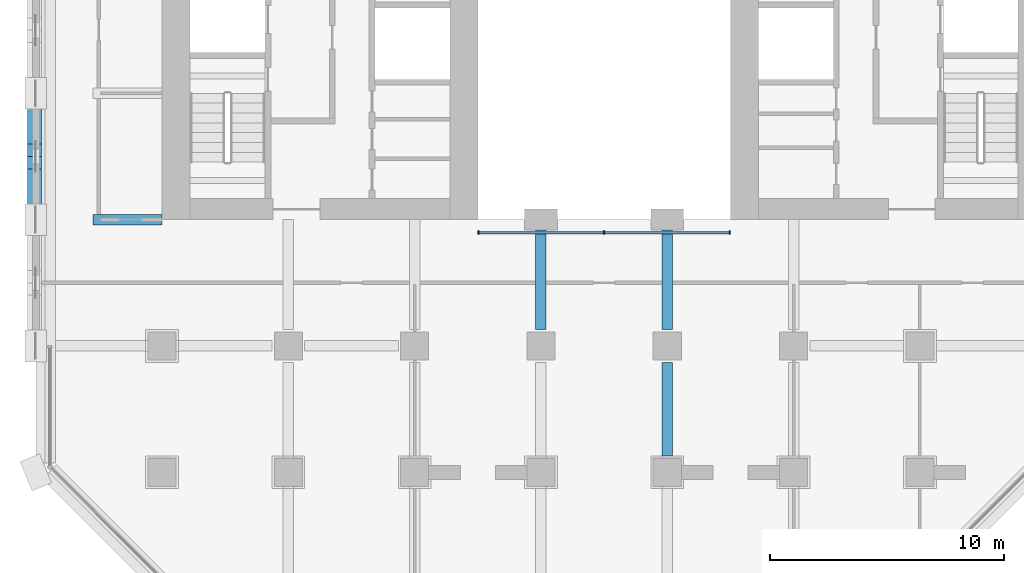
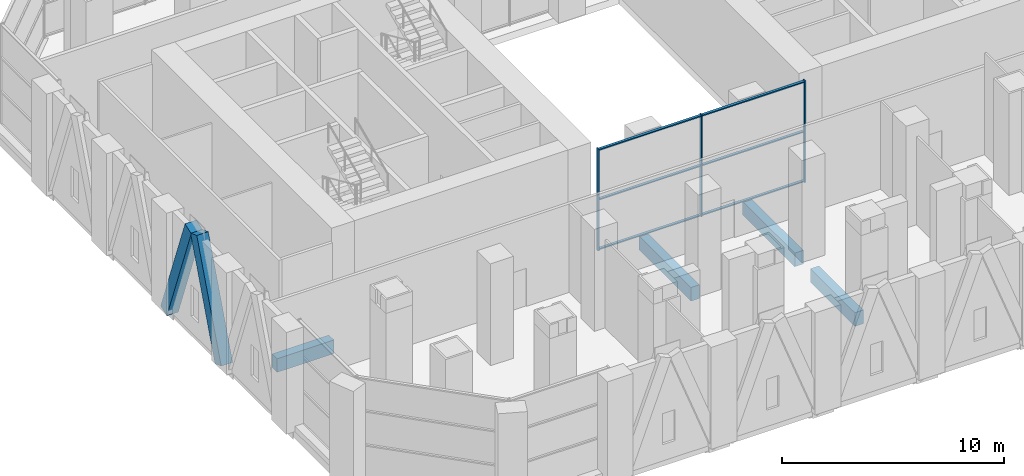
# One storey, part 4 of 34: 11 members, 4 beams, 1 element without a shape of its own.
"""IFC4 building model written with IfcOpenShell, lengths in metres."""

from ifc_helpers import new_model, si_unit, direction, frame, origin, origin_2d, place, context, subcontext, project, spatial, rectangle, extrude, material, material_profile, profile_set, type_object, element, aggregate, save


model = new_model("IFC4")

# Units and contexts
model_context = context("Model", 3, precision=1e-05, world=origin(), true_north=direction((0.0, 1.0)))
body_context = subcontext(model_context, "Body", "Model", "MODEL_VIEW")
ifc_project = project(units=[si_unit("LENGTHUNIT", "METRE"), si_unit("AREAUNIT", "SQUARE_METRE"), si_unit("VOLUMEUNIT", "CUBIC_METRE"), si_unit("PLANEANGLEUNIT", "RADIAN"), si_unit("MASSUNIT", "GRAM", prefix="KILO")], contexts=[model_context])

# Site, building, storey
site_placement = place(None, origin())
site = spatial("IfcSite", under=ifc_project, at=site_placement, CompositionType="ELEMENT")
building_placement = place(site_placement, origin())
building = spatial("IfcBuilding", under=site, at=building_placement, Name="Tabaq Tower and Sports Hall", CompositionType="ELEMENT")
storey_placement = place(building_placement, frame((0.0, 0.0, 8.39990234375)))
storey = spatial("IfcBuildingStorey", under=building, at=storey_placement, Name="L01", CompositionType="ELEMENT", Elevation=8.39990234375)

# Curtain wall, members
ifc_material_1 = material(Name="Aluminium alloy 6063-T6 framed glazing", Category="aluminium")
curtain_wall_type = type_object("IfcCurtainWallType", Name="CW1 curtain wall", PredefinedType="USERDEFINED", material=ifc_material_1)
curtain_wall_placement = place(storey_placement, origin())
curtain_wall = element("IfcCurtainWall", 1, at=curtain_wall_placement, inside=storey, type_object=curtain_wall_type, Name="Atrium glazing L01 S", ObjectType="ATRIUM ENCLOSURE", PredefinedType="USERDEFINED")
ifc_material_2 = material(Name="Aluminium alloy 6063-T6", Category="aluminium")
ifc_material_profile_1 = material_profile(ifc_material_2, rectangle(XDim=0.159912109375, YDim=0.06005859375, at=origin_2d()), Name="MULLION 160x60")
ifc_profile_set_1 = profile_set([ifc_material_profile_1], Name="Aluminium alloy 6063-T6")
member_type_1 = type_object("IfcMemberType", Name="CW1 mullion 160x60", PredefinedType="MULLION", material=ifc_profile_set_1)
member_1_placement = place(storey_placement, frame((18.929931640625, 15.64990234375, 0.0), z_axis=(0.0, 0.0, 1.0), x_axis=(0.0, 1.0, 0.0)))
member_1 = element("IfcMember", 2, at=member_1_placement, type_object=member_type_1, Name="CW1 mullion 1", PredefinedType="MULLION", context=body_context, shape_type="SweptSolid", body=[
    extrude(rectangle(XDim=0.159912109375, YDim=0.06005859375, at=origin_2d()), origin(), (0.0, 0.0, 1.0), 5.60009765625),
])
member_2_placement = place(storey_placement, frame((24.300048828125, 15.64990234375, 0.0), z_axis=(0.0, 0.0, 1.0), x_axis=(0.0, 1.0, 0.0)))
member_2 = element("IfcMember", 3, at=member_2_placement, type_object=member_type_1, Name="CW1 mullion 2", PredefinedType="MULLION", context=body_context, shape_type="SweptSolid", body=[
    extrude(rectangle(XDim=0.159912109375, YDim=0.06005859375, at=origin_2d()), origin(), (0.0, 0.0, 1.0), 5.60009765625),
])
member_3_placement = place(storey_placement, frame((29.669921875, 15.64990234375, 0.0), z_axis=(0.0, 0.0, 1.0), x_axis=(0.0, 1.0, 0.0)))
member_3 = element("IfcMember", 4, at=member_3_placement, type_object=member_type_1, Name="CW1 mullion 3", PredefinedType="MULLION", context=body_context, shape_type="SweptSolid", body=[
    extrude(rectangle(XDim=0.159912109375, YDim=0.06005859375, at=origin_2d()), origin(), (0.0, 0.0, 1.0), 5.60009765625),
])
ifc_material_3 = material(Name="Aluminium alloy 6063-T6", Category="aluminium")
ifc_material_profile_2 = material_profile(ifc_material_3, rectangle(XDim=0.139892578125, YDim=0.06005859375, at=origin_2d()), Name="TRANSOM 140x60")
ifc_profile_set_2 = profile_set([ifc_material_profile_2], Name="Aluminium alloy 6063-T6")
member_type_2 = type_object("IfcMemberType", Name="CW1 transom 140x60", PredefinedType="USERDEFINED", material=ifc_profile_set_2)
member_4_placement = place(storey_placement, frame((18.9599609375, 15.64990234375, 0.070068359375), z_axis=(1.0, 0.0, 0.0), x_axis=(0.0, 1.0, 0.0)))
member_4 = element("IfcMember", 5, at=member_4_placement, type_object=member_type_2, Name="CW1 transom 1.1", ObjectType="TRANSOM", PredefinedType="USERDEFINED", context=body_context, shape_type="SweptSolid", body=[
    extrude(rectangle(XDim=0.139892578125, YDim=0.06005859375, at=origin_2d()), origin(), (0.0, 0.0, 1.0), 5.31005859375),
])
member_5_placement = place(storey_placement, frame((18.9599609375, 15.64990234375, 2.800048828125), z_axis=(1.0, 0.0, 0.0), x_axis=(0.0, 1.0, 0.0)))
member_5 = element("IfcMember", 6, at=member_5_placement, type_object=member_type_2, Name="CW1 transom 1.2", ObjectType="TRANSOM", PredefinedType="USERDEFINED", context=body_context, shape_type="SweptSolid", body=[
    extrude(rectangle(XDim=0.139892578125, YDim=0.06005859375, at=origin_2d()), origin(), (0.0, 0.0, 1.0), 5.31005859375),
])
member_6_placement = place(storey_placement, frame((18.9599609375, 15.64990234375, 5.530029296875), z_axis=(1.0, 0.0, 0.0), x_axis=(0.0, 1.0, 0.0)))
member_6 = element("IfcMember", 7, at=member_6_placement, type_object=member_type_2, Name="CW1 transom 1.3", ObjectType="TRANSOM", PredefinedType="USERDEFINED", context=body_context, shape_type="SweptSolid", body=[
    extrude(rectangle(XDim=0.139892578125, YDim=0.06005859375, at=origin_2d()), origin(), (0.0, 0.0, 1.0), 5.31005859375),
])
member_7_placement = place(storey_placement, frame((24.330078125, 15.64990234375, 0.070068359375), z_axis=(1.0, 0.0, 0.0), x_axis=(0.0, 1.0, 0.0)))
member_7 = element("IfcMember", 8, at=member_7_placement, type_object=member_type_2, Name="CW1 transom 2.1", ObjectType="TRANSOM", PredefinedType="USERDEFINED", context=body_context, shape_type="SweptSolid", body=[
    extrude(rectangle(XDim=0.139892578125, YDim=0.06005859375, at=origin_2d()), origin(), (0.0, 0.0, 1.0), 5.309814453125),
])
member_8_placement = place(storey_placement, frame((24.330078125, 15.64990234375, 2.800048828125), z_axis=(1.0, 0.0, 0.0), x_axis=(0.0, 1.0, 0.0)))
member_8 = element("IfcMember", 9, at=member_8_placement, type_object=member_type_2, Name="CW1 transom 2.2", ObjectType="TRANSOM", PredefinedType="USERDEFINED", context=body_context, shape_type="SweptSolid", body=[
    extrude(rectangle(XDim=0.139892578125, YDim=0.06005859375, at=origin_2d()), origin(), (0.0, 0.0, 1.0), 5.309814453125),
])
member_9_placement = place(storey_placement, frame((24.330078125, 15.64990234375, 5.530029296875), z_axis=(1.0, 0.0, 0.0), x_axis=(0.0, 1.0, 0.0)))
member_9 = element("IfcMember", 10, at=member_9_placement, type_object=member_type_2, Name="CW1 transom 2.3", ObjectType="TRANSOM", PredefinedType="USERDEFINED", context=body_context, shape_type="SweptSolid", body=[
    extrude(rectangle(XDim=0.139892578125, YDim=0.06005859375, at=origin_2d()), origin(), (0.0, 0.0, 1.0), 5.309814453125),
])
aggregate(curtain_wall, [member_1, member_2, member_3, member_4, member_5, member_6, member_7, member_8, member_9])

# Beams
ifc_material_4 = material(Name="Concrete C40/50", Category="concrete")
ifc_material_profile_3 = material_profile(ifc_material_4, rectangle(XDim=0.449951171875, YDim=0.75, at=origin_2d()), Name="CB 450x750")
ifc_profile_set_3 = profile_set([ifc_material_profile_3], Name="Concrete C40/50")
beam_type = type_object("IfcBeamType", Name="PT CANTILEVER BEAM CB 450x750 C40/50", PredefinedType="BEAM", material=ifc_profile_set_3)
beam_1_placement = place(storey_placement, frame((2.449951171875, 16.199951171875, -0.77490234375), z_axis=(1.0, 0.0, 0.0), x_axis=(0.0, 1.0, 0.0)))
element("IfcBeam", 11, at=beam_1_placement, inside=storey, type_object=beam_type, Name="Cantilever Beam L01 W3 span 1", PredefinedType="BEAM", context=body_context, shape_type="SweptSolid", body=[
    extrude(rectangle(XDim=0.449951171875, YDim=0.75, at=origin_2d()), origin(), (0.0, 0.0, 1.0), 2.949951171875),
])
beam_2_placement = place(storey_placement, frame((21.60009765625, 11.5, -0.77490234375), z_axis=(0.0, 1.0, 0.0), x_axis=(-1.0, 0.0, 0.0)))
element("IfcBeam", 12, at=beam_2_placement, inside=storey, type_object=beam_type, Name="Cantilever Beam L01 S4 span 3", PredefinedType="BEAM", context=body_context, shape_type="SweptSolid", body=[
    extrude(rectangle(XDim=0.449951171875, YDim=0.75, at=origin_2d()), origin(), (0.0, 0.0, 1.0), 4.699951171875),
])
beam_3_placement = place(storey_placement, frame((27.0, 6.10009765625, -0.77490234375), z_axis=(0.0, 1.0, 0.0), x_axis=(-1.0, 0.0, 0.0)))
element("IfcBeam", 13, at=beam_3_placement, inside=storey, type_object=beam_type, Name="Cantilever Beam L01 S5 span 2", PredefinedType="BEAM", context=body_context, shape_type="SweptSolid", body=[
    extrude(rectangle(XDim=0.449951171875, YDim=0.75, at=origin_2d()), origin(), (0.0, 0.0, 1.0), 4.0),
])
beam_4_placement = place(storey_placement, frame((27.0, 11.5, -0.77490234375), z_axis=(0.0, 1.0, 0.0), x_axis=(-1.0, 0.0, 0.0)))
element("IfcBeam", 14, at=beam_4_placement, inside=storey, type_object=beam_type, Name="Cantilever Beam L01 S5 span 3", PredefinedType="BEAM", context=body_context, shape_type="SweptSolid", body=[
    extrude(rectangle(XDim=0.449951171875, YDim=0.75, at=origin_2d()), origin(), (0.0, 0.0, 1.0), 4.699951171875),
])

# Members
ifc_material_5 = material(Name="Concrete C60/75", Category="concrete")
ifc_material_profile_4 = material_profile(ifc_material_5, rectangle(XDim=0.60009765625, YDim=0.60009765625, at=origin_2d()), Name="TRANSFER BAND BRACE 600x600")
ifc_profile_set_4 = profile_set([ifc_material_profile_4], Name="Concrete C60/75")
member_type_3 = type_object("IfcMemberType", Name="RC TRANSFER BAND BRACE 600x600 C60/75", PredefinedType="BRACE", material=ifc_profile_set_4)
member_10_placement = place(storey_placement, frame((-0.050048828125, 16.449951171875, -0.0498046875), z_axis=(0.0, 0.352000877522, 0.935999669991), x_axis=(-1.0, 0.0, 0.0)))
element("IfcMember", 15, at=member_10_placement, inside=storey, type_object=member_type_3, Name="Transfer Band Brace L01 West 11", PredefinedType="BRACE", context=body_context, shape_type="SweptSolid", body=[
    extrude(rectangle(XDim=0.60009765625, YDim=0.60009765625, at=origin_2d()), origin(), (0.0, 0.0, 1.0), 6.249755859375),
])
member_11_placement = place(storey_placement, frame((-0.050048828125, 21.35009765625, -0.0498046875), z_axis=(0.0, -0.352035100136, 0.935986799197), x_axis=(1.0, 0.0, 0.0)))
element("IfcMember", 16, at=member_11_placement, inside=storey, type_object=member_type_3, Name="Transfer Band Brace L01 West 12", PredefinedType="BRACE", context=body_context, shape_type="SweptSolid", body=[
    extrude(rectangle(XDim=0.60009765625, YDim=0.60009765625, at=origin_2d()), origin(), (0.0, 0.0, 1.0), 6.25),
])

save(model, "model.ifc")
